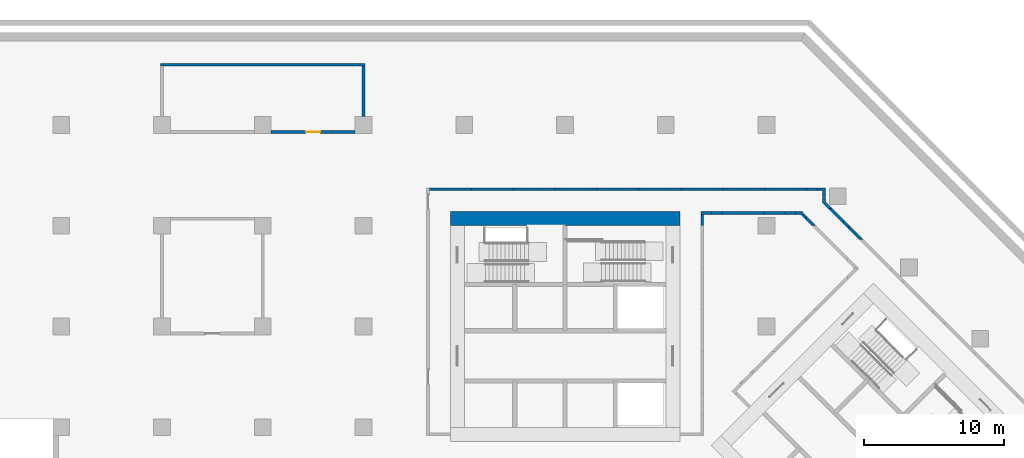
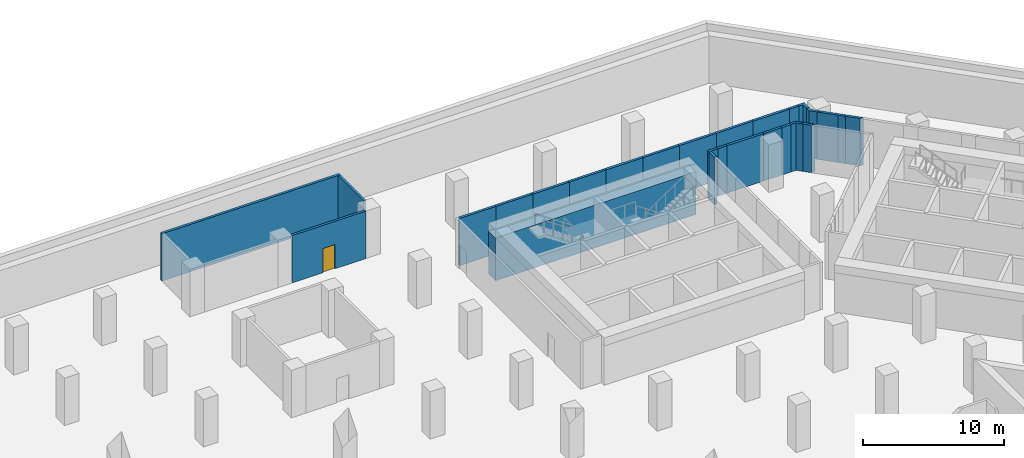
# One storey, part 8 of 11: 27 walls, 1 door, 1 opening.
"""IFC4 building model written with IfcOpenShell, lengths in metres."""

from ifc_helpers import new_model, si_unit, direction, frame, frame_2d, origin, place, context, subcontext, project, spatial, polyline, rectangle, outline, extrude, material, layer, layer_set, type_object, element, fill, save


model = new_model("IFC4")

# Units and contexts
model_context = context("Model", 3, precision=1e-05, world=origin(), true_north=direction((0.0, 1.0)))
body_context = subcontext(model_context, "Body", "Model", "MODEL_VIEW")
ifc_project = project(units=[si_unit("LENGTHUNIT", "METRE"), si_unit("AREAUNIT", "SQUARE_METRE"), si_unit("VOLUMEUNIT", "CUBIC_METRE"), si_unit("PLANEANGLEUNIT", "RADIAN"), si_unit("MASSUNIT", "GRAM", prefix="KILO")], contexts=[model_context])

# Site, building, storey
site_placement = place(None, origin())
site = spatial("IfcSite", under=ifc_project, at=site_placement, CompositionType="ELEMENT")
building_placement = place(site_placement, origin())
building = spatial("IfcBuilding", under=site, at=building_placement, Name="Windrow Commons", CompositionType="ELEMENT")
storey_placement = place(building_placement, frame((0.0, 0.0, -4.5)))
storey = spatial("IfcBuildingStorey", under=building, at=storey_placement, Name="B1", CompositionType="ELEMENT", Elevation=-4.5)

# Walls
ifc_material_1 = material(Name="Blockwork partition", Category="masonry")
ifc_layer_1 = layer(ifc_material_1, 0.2)
ifc_layer_set_1 = layer_set([ifc_layer_1], Name="CP-PART-200")
wall_type_1 = type_object("IfcWallType", Name="CP-PART-200", PredefinedType="PARTITIONING", material=ifc_layer_set_1)
placement = place(storey_placement, origin())
element("IfcWall", 1, at=placement, inside=storey, type_object=wall_type_1, Name="Escape corridor wall 01", PredefinedType="PARTITIONING", context=body_context, shape_type="SweptSolid", body=[
    extrude(outline(polyline([(55.1, 67.3), (58.1, 67.3), (58.1, 67.5), (55.1, 67.5), (55.1, 67.3)])), origin(), (0.0, 0.0, 1.0), 4.1),
])
element("IfcWall", 2, at=placement, inside=storey, type_object=wall_type_1, Name="Escape corridor wall 02", PredefinedType="PARTITIONING", context=body_context, shape_type="SweptSolid", body=[
    extrude(outline(polyline([(58.1, 67.3), (61.1, 67.3), (61.1, 67.5), (58.1, 67.5), (58.1, 67.3)])), origin(), (0.0, 0.0, 1.0), 4.1),
])
element("IfcWall", 3, at=placement, inside=storey, type_object=wall_type_1, Name="Escape corridor wall 03", PredefinedType="PARTITIONING", context=body_context, shape_type="SweptSolid", body=[
    extrude(outline(polyline([(61.1, 67.3), (64.1, 67.3), (64.1, 67.5), (61.1, 67.5), (61.1, 67.3)])), origin(), (0.0, 0.0, 1.0), 4.1),
])
element("IfcWall", 4, at=placement, inside=storey, type_object=wall_type_1, Name="Escape corridor wall 04", PredefinedType="PARTITIONING", context=body_context, shape_type="SweptSolid", body=[
    extrude(outline(polyline([(64.1, 67.3), (67.1, 67.3), (67.1, 67.5), (64.1, 67.5), (64.1, 67.3)])), origin(), (0.0, 0.0, 1.0), 4.1),
])
element("IfcWall", 5, at=placement, inside=storey, type_object=wall_type_1, Name="Escape corridor wall 05", PredefinedType="PARTITIONING", context=body_context, shape_type="SweptSolid", body=[
    extrude(outline(polyline([(67.1, 67.3), (70.1, 67.3), (70.1, 67.5), (67.1, 67.5), (67.1, 67.3)])), origin(), (0.0, 0.0, 1.0), 4.1),
])
element("IfcWall", 6, at=placement, inside=storey, type_object=wall_type_1, Name="Escape corridor wall 06", PredefinedType="PARTITIONING", context=body_context, shape_type="SweptSolid", body=[
    extrude(outline(polyline([(73.1, 67.3), (73.1, 67.5), (70.1, 67.5), (70.1, 67.3), (73.1, 67.3)])), origin(), (0.0, 0.0, 1.0), 4.1),
])
element("IfcWall", 7, at=placement, inside=storey, type_object=wall_type_1, Name="Escape corridor wall 14", PredefinedType="PARTITIONING", context=body_context, shape_type="SweptSolid", body=[
    extrude(outline(polyline([(74.7, 64.8), (74.7, 65.55), (74.5, 65.55), (74.5, 64.8), (74.7, 64.8)])), origin(), (0.0, 0.0, 1.0), 4.1),
])
element("IfcWall", 8, at=placement, inside=storey, type_object=wall_type_1, Name="Escape corridor wall 15", PredefinedType="PARTITIONING", context=body_context, shape_type="SweptSolid", body=[
    extrude(outline(polyline([(76.1, 67.3), (76.1, 67.5), (73.1, 67.5), (73.1, 67.3), (76.1, 67.3)])), origin(), (0.0, 0.0, 1.0), 4.1),
])
element("IfcWall", 9, at=placement, inside=storey, type_object=wall_type_1, Name="Escape corridor wall 16", PredefinedType="PARTITIONING", context=body_context, shape_type="SweptSolid", body=[
    extrude(outline(polyline([(74.7, 65.6), (75.25, 65.6), (75.25, 65.8), (74.5, 65.8), (74.5, 65.55), (74.7, 65.55), (74.7, 65.6)])), origin(), (0.0, 0.0, 1.0), 4.1),
])
element("IfcWall", 10, at=placement, inside=storey, type_object=wall_type_1, Name="Escape corridor wall 17", PredefinedType="PARTITIONING", context=body_context, shape_type="SweptSolid", body=[
    extrude(outline(polyline([(76.0, 65.6), (76.0, 65.8), (75.25, 65.8), (75.25, 65.6), (76.0, 65.6)])), origin(), (0.0, 0.0, 1.0), 4.1),
])
element("IfcWall", 11, at=placement, inside=storey, type_object=wall_type_1, Name="Escape corridor wall 21", PredefinedType="PARTITIONING", context=body_context, shape_type="SweptSolid", body=[
    extrude(outline(polyline([(79.0, 65.8), (76.0, 65.8), (76.0, 65.6), (79.0, 65.6), (79.0, 65.8)])), origin(), (0.0, 0.0, 1.0), 4.1),
])
element("IfcWall", 12, at=placement, inside=storey, type_object=wall_type_1, Name="Escape corridor wall 22", PredefinedType="PARTITIONING", context=body_context, shape_type="SweptSolid", body=[
    extrude(outline(polyline([(76.1, 67.3), (79.1, 67.3), (79.1, 67.5), (76.1, 67.5), (76.1, 67.3)])), origin(), (0.0, 0.0, 1.0), 4.1),
])
element("IfcWall", 13, at=placement, inside=storey, type_object=wall_type_1, Name="Escape corridor wall 27", PredefinedType="PARTITIONING", context=body_context, shape_type="SweptSolid", body=[
    extrude(outline(polyline([(79.0, 65.6), (80.5, 65.6), (80.5, 65.8), (79.0, 65.8), (79.0, 65.6)])), origin(), (0.0, 0.0, 1.0), 4.1),
])
element("IfcWall", 14, at=placement, inside=storey, type_object=wall_type_1, Name="Escape corridor wall 28", PredefinedType="PARTITIONING", context=body_context, shape_type="SweptSolid", body=[
    extrude(outline(polyline([(79.1, 67.3), (82.1, 67.3), (82.1, 67.5), (79.1, 67.5), (79.1, 67.3)])), origin(), (0.0, 0.0, 1.0), 4.1),
])
element("IfcWall", 15, at=placement, inside=storey, type_object=wall_type_1, Name="Escape corridor wall 30", PredefinedType="PARTITIONING", context=body_context, shape_type="SweptSolid", body=[
    extrude(outline(polyline([(80.5, 65.6), (81.25, 65.6), (81.25, 65.8), (80.5, 65.8), (80.5, 65.6)])), origin(), (0.0, 0.0, 1.0), 4.1),
])
element("IfcWall", 16, at=placement, inside=storey, type_object=wall_type_1, Name="Escape corridor wall 31", PredefinedType="PARTITIONING", context=body_context, shape_type="SweptSolid", body=[
    extrude(outline(polyline([(82.0, 65.523), (81.7456, 65.7775), (81.7681, 65.8), (81.25, 65.8), (81.25, 65.6), (81.6402, 65.6), (82.0, 65.2402), (82.0, 65.523)])), origin(), (0.0, 0.0, 1.0), 4.1),
])
element("IfcWall", 17, at=placement, inside=storey, type_object=wall_type_1, Name="Escape corridor wall 33", PredefinedType="PARTITIONING", context=body_context, shape_type="SweptSolid", body=[
    extrude(outline(polyline([(82.723, 64.8), (82.0, 65.523), (82.0, 65.2402), (82.4402, 64.8), (82.723, 64.8)])), origin(), (0.0, 0.0, 1.0), 4.1),
])
element("IfcWall", 18, at=placement, inside=storey, type_object=wall_type_1, Name="Escape corridor wall 34", PredefinedType="PARTITIONING", context=body_context, shape_type="SweptSolid", body=[
    extrude(outline(polyline([(82.1, 67.3), (82.85, 67.3), (82.85, 67.5), (82.1, 67.5), (82.1, 67.3)])), origin(), (0.0, 0.0, 1.0), 4.1),
])
element("IfcWall", 19, at=placement, inside=storey, type_object=wall_type_1, Name="Escape corridor wall 35", PredefinedType="PARTITIONING", context=body_context, shape_type="SweptSolid", body=[
    extrude(outline(polyline([(83.2, 67.3), (83.2, 66.8069), (83.4, 66.8069), (83.4, 67.5), (82.85, 67.5), (82.85, 67.3), (83.2, 67.3)])), origin(), (0.0, 0.0, 1.0), 4.1),
])
element("IfcWall", 20, at=placement, inside=storey, type_object=wall_type_1, Name="Escape corridor wall 36", PredefinedType="PARTITIONING", context=body_context, shape_type="SweptSolid", body=[
    extrude(outline(polyline([(83.6, 66.0444), (83.8828, 66.0444), (83.4, 66.5272), (83.4, 66.7944), (83.2, 66.7944), (83.2, 66.4444), (83.6, 66.0444)])), origin(), (0.0, 0.0, 1.0), 4.1),
])
element("IfcWall", 21, at=placement, inside=storey, type_object=wall_type_1, Name="Escape corridor wall 39", PredefinedType="PARTITIONING", context=body_context, shape_type="SweptSolid", body=[
    extrude(outline(polyline([(84.7, 65.2272), (83.8828, 66.0444), (83.6, 66.0444), (84.7, 64.9444), (84.7, 65.2272)])), origin(), (0.0, 0.0, 1.0), 4.1),
])
element("IfcWall", 22, at=placement, inside=storey, type_object=wall_type_1, Name="Escape corridor wall 40", PredefinedType="PARTITIONING", context=body_context, shape_type="SweptSolid", body=[
    extrude(outline(polyline([(85.1, 64.8272), (84.7, 65.2272), (84.7, 64.9444), (85.1, 64.5444), (85.1, 64.8272)])), origin(), (0.0, 0.0, 1.0), 4.1),
])
element("IfcWall", 23, at=placement, inside=storey, type_object=wall_type_1, Name="Escape corridor wall 43", PredefinedType="PARTITIONING", context=body_context, shape_type="SweptSolid", body=[
    extrude(outline(polyline([(86.1203, 63.8069), (85.1, 64.8272), (85.1, 64.5444), (85.8375, 63.8069), (86.1203, 63.8069)])), origin(), (0.0, 0.0, 1.0), 4.1),
])
wall_24_placement = place(storey_placement, frame((50.4, 72.6, 0.0), z_axis=(0.0, 0.0, 1.0), x_axis=(0.0, 1.0, 0.0)))
element("IfcWall", 24, at=wall_24_placement, inside=storey, type_object=wall_type_1, Name="Plant room wall 08", PredefinedType="PARTITIONING", context=body_context, shape_type="SweptSolid", body=[
    extrude(rectangle(XDim=3.6, YDim=0.2, at=frame_2d((1.8, 0.0))), origin(), (0.0, 0.0, 1.0), 4.1),
])

# Wall, opening, door
wall_25_placement = place(storey_placement, frame((43.8, 71.5, 0.0), z_axis=(0.0, 0.0, 1.0), x_axis=(1.0, 0.0, 0.0)))
wall_25 = element("IfcWall", 25, at=wall_25_placement, inside=storey, type_object=wall_type_1, Name="Plant room wall 22", PredefinedType="PARTITIONING", context=body_context, shape_type="SweptSolid", body=[
    extrude(rectangle(XDim=6.0, YDim=0.2, at=frame_2d((3.0, 0.0))), origin(), (0.0, 0.0, 1.0), 4.1),
])
opening_placement = place(wall_25_placement, frame((2.5, 0.0, 0.0)))
opening = element("IfcOpeningElement", 26, at=opening_placement, cuts=wall_25, Name="Opening B1-D55", PredefinedType="OPENING", context=body_context, shape_type="SweptSolid", body=[
    extrude(rectangle(XDim=1.0, YDim=2.1, at=frame_2d((0.5, 1.05))), frame((0.0, 0.11, 0.0), z_axis=(0.0, -1.0, 0.0), x_axis=(1.0, 0.0, 0.0)), (0.0, 0.0, 1.0), 0.22),
])
ifc_material_2 = material(Name="Steel fire door leaf", Category="steel")
door_type = type_object("IfcDoorType", Name="CP-DOOR-1000", OperationType="SINGLE_SWING_LEFT", PredefinedType="DOOR", material=ifc_material_2)
door_placement = place(opening_placement, origin())
door = element("IfcDoor", 27, at=door_placement, inside=storey, type_object=door_type, Name="D-B1-PLANT-05", OperationType="SINGLE_SWING_RIGHT", OverallHeight=2.1, OverallWidth=1.0, PredefinedType="DOOR", context=body_context, shape_type="SweptSolid", body=[
    extrude(rectangle(XDim=1.0, YDim=2.1, at=frame_2d((0.5, 1.05))), frame((0.0, 0.025, 0.0), z_axis=(0.0, -1.0, 0.0), x_axis=(1.0, 0.0, 0.0)), (0.0, 0.0, 1.0), 0.05),
])
fill(opening, door)

# Walls
wall_26_placement = place(storey_placement, frame((35.9, 76.3, 0.0), z_axis=(0.0, 0.0, 1.0), x_axis=(1.0, 0.0, 0.0)))
element("IfcWall", 28, at=wall_26_placement, inside=storey, type_object=wall_type_1, Name="Plant room wall 23", PredefinedType="PARTITIONING", context=body_context, shape_type="SweptSolid", body=[
    extrude(rectangle(XDim=14.6, YDim=0.2, at=frame_2d((7.3, 0.0))), origin(), (0.0, 0.0, 1.0), 4.1),
])
ifc_material_3 = material(Name="Concrete C60/75", Category="concrete")
ifc_layer_2 = layer(ifc_material_3, 1.0)
ifc_layer_set_2 = layer_set([ifc_layer_2], Name="RC CORE WALL 1000 C60/75")
wall_type_2 = type_object("IfcWallType", Name="RC CORE WALL 1000 C60/75", PredefinedType="SHEAR", material=ifc_layer_set_2)
wall_27_placement = place(storey_placement, frame((56.6, 65.3, -0.3), z_axis=(0.0, 0.0, 1.0), x_axis=(1.0, 0.0, 0.0)))
element("IfcWall", 29, at=wall_27_placement, inside=storey, type_object=wall_type_2, Name="Core A wall outer-N", PredefinedType="SHEAR", context=body_context, shape_type="SweptSolid", body=[
    extrude(rectangle(XDim=16.4, YDim=1.0, at=frame_2d((8.2, 0.0))), origin(), (0.0, 0.0, 1.0), 3.7),
])

save(model, "model.ifc")
